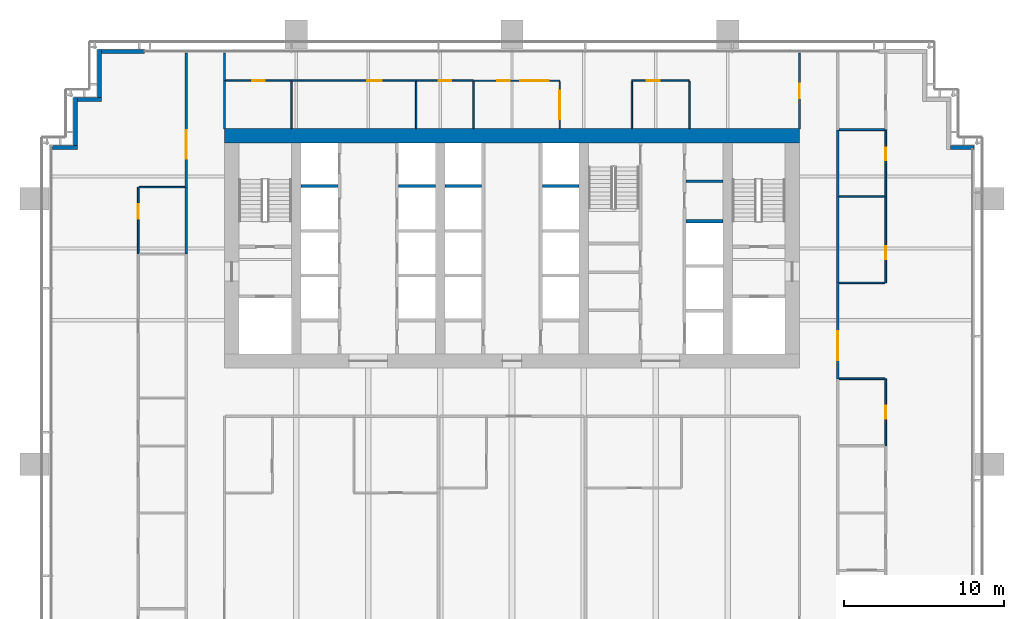
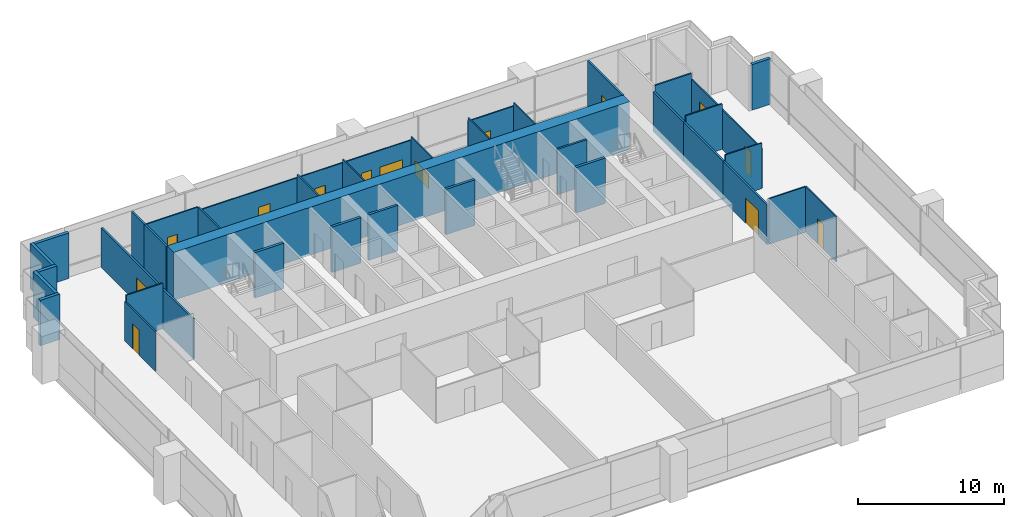
# One storey, part 13 of 17: 41 walls, 12 doors, 2 windows, 14 openings.
"""IFC4 building model written with IfcOpenShell, lengths in metres."""

import ifcopenshell
import ifcopenshell.guid

model = None  # the IFC model being written
_history = None  # IfcOwnerHistory: only IFC2X3 demands one
_inside = {}  # id of a spatial element -> (the spatial element, [elements in it])
_under = {}  # id of a project, library or spatial element -> (it, [spatial elements below it])
_declared = {}  # id of a project -> (the project, [libraries it declares])
_typed = {}  # id of a type object -> (the type object, [elements of that type])
_made_of = {}  # id of a material, layer set ... -> (it, [elements and type objects made of it])


def new_model(schema):
    """Start an empty IFC model of exactly this schema.

    Asked for "IFC4X3", IfcOpenShell would pick the latest addendum, in which some entities
    have other attributes; the version numbers below select the first issue.
    IFC2X3 requires an IfcOwnerHistory on every rooted entity: one is made here for all.
    """
    global model, _history
    if schema == "IFC4X3":
        model = ifcopenshell.file(schema_version=(4, 3, 0, 0))
    else:
        model = ifcopenshell.file(schema=schema)
    _inside.clear()
    _under.clear()
    _declared.clear()
    _typed.clear()
    _made_of.clear()
    _history = None
    if model.schema == "IFC2X3":
        org = make("IfcOrganization", Name="unknown")
        user = make(
            "IfcPersonAndOrganization",
            ThePerson=make("IfcPerson", FamilyName="unknown"),
            TheOrganization=org,
        )
        app = make(
            "IfcApplication",
            ApplicationDeveloper=org,
            Version="unknown",
            ApplicationFullName="unknown",
            ApplicationIdentifier="unknown",
        )
        _history = make(
            "IfcOwnerHistory",
            OwningUser=user,
            OwningApplication=app,
            ChangeAction="ADDED",
            CreationDate=0,
        )
    return model


def make(cls, **values):
    """One entity of the class cls with the attributes given. An attribute that is None is left unset."""
    return model.create_entity(
        cls, **{name: value for name, value in values.items() if value is not None}
    )


def rooted(cls, **values):
    """An entity with a GlobalId (a new one), such as an element, a storey or a relation."""
    return make(cls, GlobalId=ifcopenshell.guid.new(), OwnerHistory=_history, **values)


def si_unit(unit_type, name, prefix=None):
    """IfcSIUnit, for example si_unit("LENGTHUNIT", "METRE", prefix="MILLI")."""
    return make("IfcSIUnit", UnitType=unit_type, Prefix=prefix, Name=name)


def assignment(units):
    """IfcUnitAssignment: the units of a project."""
    return None if units is None else make("IfcUnitAssignment", Units=units)


def point(xyz):
    """IfcCartesianPoint."""
    return None if xyz is None else make("IfcCartesianPoint", Coordinates=xyz)


def direction(xyz):
    """IfcDirection."""
    return None if xyz is None else make("IfcDirection", DirectionRatios=xyz)


def frame(location, z_axis=None, x_axis=None):
    """IfcAxis2Placement3D, a coordinate frame: its origin and axes. An axis left out is left unset."""
    return make(
        "IfcAxis2Placement3D",
        Location=point(location),
        Axis=direction(z_axis),
        RefDirection=direction(x_axis),
    )


def frame_2d(location, x_axis=None):
    """IfcAxis2Placement2D, a coordinate frame in the plane: its origin and x axis."""
    return make(
        "IfcAxis2Placement2D", Location=point(location), RefDirection=direction(x_axis)
    )


def origin():
    """The frame at (0, 0, 0) with its axes left unset."""
    return frame((0.0, 0.0, 0.0))


def place(relative_to, where):
    """IfcLocalPlacement: puts the frame where relative to a parent placement (None: the world)."""
    return make(
        "IfcLocalPlacement", PlacementRelTo=relative_to, RelativePlacement=where
    )


def context(
    kind, dimensions, precision=None, world=None, true_north=None, identifier=None
):
    """IfcGeometricRepresentationContext, for example the 3D "Model" context."""
    return make(
        "IfcGeometricRepresentationContext",
        ContextIdentifier=identifier,
        ContextType=kind,
        CoordinateSpaceDimension=dimensions,
        Precision=precision,
        WorldCoordinateSystem=world,
        TrueNorth=true_north,
    )


def subcontext(parent, identifier, kind, view, scale=None):
    """IfcGeometricRepresentationSubContext, for example "Body" below "Model"."""
    return make(
        "IfcGeometricRepresentationSubContext",
        ContextIdentifier=identifier,
        ContextType=kind,
        ParentContext=parent,
        TargetScale=scale,
        TargetView=view,
    )


def project(units=None, contexts=None):
    """IfcProject with its units and contexts."""
    return rooted(
        "IfcProject",
        Name="project",
        RepresentationContexts=contexts,
        UnitsInContext=assignment(units),
    )


def spatial(cls, under=None, at=None, **own):
    """A site, building, storey or space (cls), placed at a placement, below another one or the project."""
    s = rooted(cls, ObjectPlacement=at, **own)
    if under is not None:
        _under.setdefault(under.id(), (under, []))[1].append(s)
    return s


def profile(cls, at=None, kind="AREA", **sizes):
    """A parametric profile (cls). Its sizes go by their IFC names, for example OverallWidth=200.0."""
    return make(cls, ProfileType=kind, Position=at, **sizes)


def rectangle(**sizes):
    """IfcRectangleProfileDef."""
    return profile("IfcRectangleProfileDef", **sizes)


def extrude(swept, where, along, depth):
    """IfcExtrudedAreaSolid: the profile swept, set in the frame where, extruded along a direction by depth."""
    return make(
        "IfcExtrudedAreaSolid",
        SweptArea=swept,
        Position=where,
        ExtrudedDirection=direction(along),
        Depth=depth,
    )


def shape(context_of_items, identifier, shape_type, items):
    """IfcShapeRepresentation: the items that make up one representation, for example the "Body"."""
    return make(
        "IfcShapeRepresentation",
        ContextOfItems=context_of_items,
        RepresentationIdentifier=identifier,
        RepresentationType=shape_type,
        Items=items,
    )


def material(Name=None, Category=None):
    """IfcMaterial."""
    return make("IfcMaterial", Name=Name, Category=Category)


def layer(
    of_material, thickness, ventilated=None, Name=None, Category=None, Priority=None
):
    """IfcMaterialLayer: one layer of a wall or slab, of a material (None: an air gap)."""
    return make(
        "IfcMaterialLayer",
        Material=of_material,
        LayerThickness=thickness,
        IsVentilated=ventilated,
        Name=Name,
        Category=Category,
        Priority=Priority,
    )


def layer_set(layers, Name=None):
    """IfcMaterialLayerSet."""
    return make("IfcMaterialLayerSet", MaterialLayers=layers, LayerSetName=Name)


def made_of(thing, what):
    """Note that an element or type object is made of a material, layer set ...; save() writes the relation."""
    if what is not None:
        _made_of.setdefault(what.id(), (what, []))[1].append(thing)
    return thing


def type_object(cls, material=None, **own):
    """A type object (cls), such as IfcWallType, which elements share."""
    return made_of(rooted(cls, **own), material)


def element(
    cls,
    number,
    at=None,
    inside=None,
    cuts=None,
    type_object=None,
    material=None,
    context=None,
    identifier="Body",
    shape_type=None,
    held_by="IfcProductDefinitionShape",
    body=None,
    shapes=None,
    **own,
):
    """One element of the class cls, such as IfcWall. Its Tag is "e" and its number.

    at: its placement. inside: the storey or other place that contains it. cuts: it is an
    opening in that element (IfcRelVoidsElement). A single representation is given by context,
    identifier, shape_type and body (its items); several are given by shapes. held_by: the class
    of the entity that holds the representations. save() writes the other relations.
    """
    e = rooted(cls, Tag="e%d" % number, ObjectPlacement=at, **own)
    if body is not None:
        shapes = [shape(context, identifier, shape_type, body)]
    if shapes is not None:
        e.Representation = make(held_by, Representations=shapes)
    if inside is not None:
        _inside.setdefault(inside.id(), (inside, []))[1].append(e)
    if cuts is not None:
        rooted(
            "IfcRelVoidsElement", RelatingBuildingElement=cuts, RelatedOpeningElement=e
        )
    if type_object is not None:
        _typed.setdefault(type_object.id(), (type_object, []))[1].append(e)
    return made_of(e, material)


def fill(opening, filler):
    """IfcRelFillsElement: the door or window that sits in an opening."""
    return rooted(
        "IfcRelFillsElement",
        RelatingOpeningElement=opening,
        RelatedBuildingElement=filler,
    )


def aggregate(whole, parts):
    """IfcRelAggregates: a whole, such as a stair, and the parts it consists of."""
    return rooted("IfcRelAggregates", RelatingObject=whole, RelatedObjects=parts)


def save(model, path):
    """Write the relations noted so far, then the file.

    IfcRelAggregates (storeys below a building ...), IfcRelContainedInSpatialStructure (elements
    in a storey), IfcRelDefinesByType, IfcRelAssociatesMaterial and IfcRelDeclares: one each for
    every whole, place, type object, material and project.
    """
    for whole, parts in _under.values():
        aggregate(whole, parts)
    for where, things in _inside.values():
        rooted(
            "IfcRelContainedInSpatialStructure",
            RelatedElements=things,
            RelatingStructure=where,
        )
    for kind, things in _typed.values():
        rooted("IfcRelDefinesByType", RelatedObjects=things, RelatingType=kind)
    for what, things in _made_of.values():
        rooted("IfcRelAssociatesMaterial", RelatedObjects=things, RelatingMaterial=what)
    for by, libraries in _declared.values():
        rooted("IfcRelDeclares", RelatingContext=by, RelatedDefinitions=libraries)
    model.write(path)


model = new_model("IFC4")

# Units and contexts
model_context = context("Model", 3, precision=1e-05, world=origin(), true_north=direction((0.0, 1.0)))
body_context = subcontext(model_context, "Body", "Model", "MODEL_VIEW")
ifc_project = project(units=[si_unit("LENGTHUNIT", "METRE"), si_unit("AREAUNIT", "SQUARE_METRE"), si_unit("VOLUMEUNIT", "CUBIC_METRE"), si_unit("PLANEANGLEUNIT", "RADIAN"), si_unit("MASSUNIT", "GRAM", prefix="KILO")], contexts=[model_context])

# Site, building, storey
site_placement = place(None, origin())
site = spatial("IfcSite", under=ifc_project, at=site_placement, CompositionType="ELEMENT")
building_placement = place(site_placement, origin())
building = spatial("IfcBuilding", under=site, at=building_placement, Name="Rattan Terrace Tower", CompositionType="ELEMENT")
storey_placement = place(building_placement, frame((0.0, 0.0, 146.10009765625)))
storey = spatial("IfcBuildingStorey", under=building, at=storey_placement, Name="L33", CompositionType="ELEMENT", Elevation=146.10009765625)

# Walls
ifc_material_1 = material(Name="Gypsum board partition")
ifc_layer_1 = layer(ifc_material_1, 0.14990234375)
ifc_layer_set_1 = layer_set([ifc_layer_1], Name="Core partition 150")
wall_type_1 = type_object("IfcWallType", Name="Core partition 150", PredefinedType="PARTITIONING", material=ifc_layer_set_1)
wall_1_placement = place(storey_placement, frame((10.89990234375, 4.199951171875, 0.0), z_axis=(0.0, 0.0, 1.0), x_axis=(1.0, 0.0, 0.0)))
element("IfcWall", 1, at=wall_1_placement, inside=storey, type_object=wall_type_1, Name="Riser room wall", PredefinedType="PARTITIONING", context=body_context, shape_type="SweptSolid", body=[
    extrude(rectangle(XDim=2.300048828125, YDim=0.14990234375, at=frame_2d((1.14990234375, 0.0))), origin(), (0.0, 0.0, 1.0), 3.7998046875),
])
ifc_material_2 = material(Name="Concrete C60/75", Category="concrete")
ifc_layer_2 = layer(ifc_material_2, 0.89990234375)
ifc_layer_set_2 = layer_set([ifc_layer_2], Name="Core ring wall 900 C60/75")
wall_type_2 = type_object("IfcWallType", Name="Core ring wall 900 C60/75", PredefinedType="SHEAR", material=ifc_layer_set_2)
wall_2_placement = place(storey_placement, frame((-18.0, 7.050048828125, -0.2001953125), z_axis=(0.0, 0.0, 1.0), x_axis=(1.0, 0.0, 0.0)))
element("IfcWall", 2, at=wall_2_placement, inside=storey, type_object=wall_type_2, Name="Rear core wall north", PredefinedType="SHEAR", context=body_context, shape_type="SweptSolid", body=[
    extrude(rectangle(XDim=36.0, YDim=0.89990234375, at=frame_2d((18.0, 0.0))), origin(), (0.0, 0.0, 1.0), 4.0),
])
ifc_material_3 = material(Name="Insulated aluminium-clad stud wall", Category="aluminium")
ifc_layer_3 = layer(ifc_material_3, 0.25)
ifc_layer_set_3 = layer_set([ifc_layer_3], Name="Facade Riser Wall 250")
wall_type_3 = type_object("IfcWallType", Name="Facade Riser Wall 250", PredefinedType="SOLIDWALL", material=ifc_layer_set_3)
wall_3_placement = place(storey_placement, frame((28.909912109375, 6.330078125, 0.0), z_axis=(0.0, 0.0, 1.0), x_axis=(-1.0, 0.0, 0.0)))
element("IfcWall", 3, at=wall_3_placement, inside=storey, type_object=wall_type_3, Name="Riser wall L33-6", PredefinedType="SOLIDWALL", context=body_context, shape_type="SweptSolid", body=[
    extrude(rectangle(XDim=1.454833984375, YDim=0.25, at=frame_2d((0.7275390625, 0.0))), origin(), (0.0, 0.0, 1.0), 3.7998046875),
])
wall_4_placement = place(storey_placement, frame((-23.0, 12.330078125, 0.0), z_axis=(0.0, 0.0, 1.0), x_axis=(-1.0, 0.0, 0.0)))
element("IfcWall", 4, at=wall_4_placement, inside=storey, type_object=wall_type_3, Name="Riser wall L33-11", PredefinedType="SOLIDWALL", context=body_context, shape_type="SweptSolid", body=[
    extrude(rectangle(XDim=2.705078125, YDim=0.25, at=frame_2d((1.3525390625, 0.0))), origin(), (0.0, 0.0, 1.0), 3.7998046875),
])
wall_5_placement = place(storey_placement, frame((-25.830078125, 12.455078125, 0.0), z_axis=(0.0, 0.0, 1.0), x_axis=(0.0, -1.0, 0.0)))
element("IfcWall", 5, at=wall_5_placement, inside=storey, type_object=wall_type_3, Name="Riser wall L33-12", PredefinedType="SOLIDWALL", context=body_context, shape_type="SweptSolid", body=[
    extrude(rectangle(XDim=3.0, YDim=0.25, at=frame_2d((1.5, 0.0))), origin(), (0.0, 0.0, 1.0), 3.7998046875),
])
wall_6_placement = place(storey_placement, frame((-25.705078125, 9.330078125, 0.0), z_axis=(0.0, 0.0, 1.0), x_axis=(-1.0, 0.0, 0.0)))
element("IfcWall", 6, at=wall_6_placement, inside=storey, type_object=wall_type_3, Name="Riser wall L33-13", PredefinedType="SOLIDWALL", context=body_context, shape_type="SweptSolid", body=[
    extrude(rectangle(XDim=1.5, YDim=0.25, at=frame_2d((0.75, 0.0))), origin(), (0.0, 0.0, 1.0), 3.7998046875),
])
wall_7_placement = place(storey_placement, frame((-27.330078125, 9.455078125, 0.0), z_axis=(0.0, 0.0, 1.0), x_axis=(0.0, -1.0, 0.0)))
element("IfcWall", 7, at=wall_7_placement, inside=storey, type_object=wall_type_3, Name="Riser wall L33-14", PredefinedType="SOLIDWALL", context=body_context, shape_type="SweptSolid", body=[
    extrude(rectangle(XDim=3.0, YDim=0.25, at=frame_2d((1.5, 0.0))), origin(), (0.0, 0.0, 1.0), 3.7998046875),
])
wall_8_placement = place(storey_placement, frame((-27.205078125, 6.330078125, 0.0), z_axis=(0.0, 0.0, 1.0), x_axis=(-1.0, 0.0, 0.0)))
element("IfcWall", 8, at=wall_8_placement, inside=storey, type_object=wall_type_3, Name="Riser wall L33-15", PredefinedType="SOLIDWALL", context=body_context, shape_type="SweptSolid", body=[
    extrude(rectangle(XDim=1.544921875, YDim=0.25, at=frame_2d((0.7724609375, 0.0))), origin(), (0.0, 0.0, 1.0), 3.7998046875),
])

# Wall, opening, door
ifc_material_4 = material(Name="Gypsum board partition on steel studs", Category="steel")
ifc_layer_4 = layer(ifc_material_4, 0.10009765625)
ifc_layer_set_4 = layer_set([ifc_layer_4], Name="Floors Partition 100")
wall_type_4 = type_object("IfcWallType", Name="Floors Partition 100", PredefinedType="PARTITIONING", material=ifc_layer_set_4)
wall_9_placement = place(storey_placement, frame((-23.39990234375, 3.840087890625, 0.0), z_axis=(0.0, 0.0, 1.0), x_axis=(0.0, -1.0, 0.0)))
wall_9 = element("IfcWall", 9, at=wall_9_placement, inside=storey, type_object=wall_type_4, Name="pt-L33-037", PredefinedType="PARTITIONING", context=body_context, shape_type="SweptSolid", body=[
    extrude(rectangle(XDim=4.18017578125, YDim=0.10009765625, at=frame_2d((2.090087890625, 0.0))), origin(), (0.0, 0.0, 1.0), 3.2998046875),
])
opening_1_placement = place(wall_9_placement, frame((1.083984375, 0.0, 0.0)))
opening_1 = element("IfcOpeningElement", 10, at=opening_1_placement, cuts=wall_9, Name="Opening L33-D107", PredefinedType="OPENING", context=body_context, shape_type="SweptSolid", body=[
    extrude(rectangle(XDim=0.89990234375, YDim=2.10009765625, at=frame_2d((0.449951171875, 1.050048828125))), frame((0.0, 0.060546875, 0.0), z_axis=(0.0, -1.0, 0.0), x_axis=(1.0, 0.0, 0.0)), (0.0, 0.0, 1.0), 0.12109375),
])
ifc_material_5 = material(Name="Solid core timber door, painted", Category="wood")
door_type_1 = type_object("IfcDoorType", Name="Floors Door 900x2100", OperationType="NOTDEFINED", PredefinedType="DOOR", material=ifc_material_5)
door_1_placement = place(opening_1_placement, origin())
door_1 = element("IfcDoor", 11, at=door_1_placement, inside=storey, type_object=door_type_1, Name="d-L33-107", OperationType="SINGLE_SWING_LEFT", OverallHeight=2.10009765625, OverallWidth=0.89990234375, PredefinedType="DOOR", context=body_context, shape_type="SweptSolid", body=[
    extrude(rectangle(XDim=0.89990234375, YDim=2.10009765625, at=frame_2d((0.449951171875, 1.050048828125))), frame((0.0, 0.02490234375, 0.0), z_axis=(0.0, -1.0, 0.0), x_axis=(1.0, 0.0, 0.0)), (0.0, 0.0, 1.0), 0.050048828125),
])
fill(opening_1, door_1)

# Walls
for number, where, z_axis, x_axis, name in (
    (12, (-20.47509765625, 3.840087890625, 0.0), (0.0, 0.0, 1.0), (-1.0, 0.0, 0.0), "pt-L33-038"),
    (13, (23.35009765625, -8.159912109375, 0.0), (0.0, 0.0, 1.0), (-1.0, 0.0, 0.0), "pt-L33-049"),
):
    element("IfcWall", number, at=place(storey_placement, frame(where, z_axis=z_axis, x_axis=x_axis)), inside=storey, type_object=wall_type_4, Name=name, PredefinedType="PARTITIONING", context=body_context, shape_type="SweptSolid", body=[
        extrude(rectangle(XDim=2.875, YDim=0.10009765625, at=frame_2d((1.4375, 0.0))), origin(), (0.0, 0.0, 1.0), 3.7998046875),
    ])

# Wall, opening, door
wall_10_placement = place(storey_placement, frame((23.39990234375, -12.340087890625, 0.0), z_axis=(0.0, 0.0, 1.0), x_axis=(0.0, 1.0, 0.0)))
wall_10 = element("IfcWall", 14, at=wall_10_placement, inside=storey, type_object=wall_type_4, Name="pt-L33-050", PredefinedType="PARTITIONING", context=body_context, shape_type="SweptSolid", body=[
    extrude(rectangle(XDim=4.18017578125, YDim=0.10009765625, at=frame_2d((2.090087890625, 0.0))), origin(), (0.0, 0.0, 1.0), 3.7998046875),
])
opening_2_placement = place(wall_10_placement, frame((1.68994140625, 0.0, 0.0)))
opening_2 = element("IfcOpeningElement", 15, at=opening_2_placement, cuts=wall_10, Name="Opening L33-D113", PredefinedType="OPENING", context=body_context, shape_type="SweptSolid", body=[
    extrude(rectangle(XDim=0.800048828125, YDim=2.10009765625, at=frame_2d((0.39990234375, 1.050048828125))), frame((0.0, 0.060546875, 0.0), z_axis=(0.0, -1.0, 0.0), x_axis=(1.0, 0.0, 0.0)), (0.0, 0.0, 1.0), 0.12109375),
])
ifc_material_6 = material(Name="Solid core timber door, painted", Category="wood")
door_type_2 = type_object("IfcDoorType", Name="Floors Store Door 800x2100", OperationType="NOTDEFINED", PredefinedType="DOOR", material=ifc_material_6)
door_2_placement = place(opening_2_placement, origin())
door_2 = element("IfcDoor", 16, at=door_2_placement, inside=storey, type_object=door_type_2, Name="d-L33-113", OperationType="SINGLE_SWING_RIGHT", OverallHeight=2.10009765625, OverallWidth=0.800048828125, PredefinedType="DOOR", context=body_context, shape_type="SweptSolid", body=[
    extrude(rectangle(XDim=0.800048828125, YDim=2.10009765625, at=frame_2d((0.39990234375, 1.050048828125))), frame((0.0, 0.02490234375, 0.0), z_axis=(0.0, -1.0, 0.0), x_axis=(1.0, 0.0, 0.0)), (0.0, 0.0, 1.0), 0.050048828125),
])
fill(opening_2, door_2)

# Wall
wall_11_placement = place(storey_placement, frame((20.47509765625, -2.159912109375, 0.0), z_axis=(0.0, 0.0, 1.0), x_axis=(1.0, 0.0, 0.0)))
element("IfcWall", 17, at=wall_11_placement, inside=storey, type_object=wall_type_4, Name="pt-L33-051", PredefinedType="PARTITIONING", context=body_context, shape_type="SweptSolid", body=[
    extrude(rectangle(XDim=2.875, YDim=0.10009765625, at=frame_2d((1.4375, 0.0))), origin(), (0.0, 0.0, 1.0), 3.7998046875),
])

# Wall, opening, door
wall_12_placement = place(storey_placement, frame((23.39990234375, -2.159912109375, 0.0), z_axis=(0.0, 0.0, 1.0), x_axis=(0.0, 1.0, 0.0)))
wall_12 = element("IfcWall", 18, at=wall_12_placement, inside=storey, type_object=wall_type_4, Name="pt-L33-052", PredefinedType="PARTITIONING", context=body_context, shape_type="SweptSolid", body=[
    extrude(rectangle(XDim=5.419921875, YDim=0.10009765625, at=frame_2d((2.7099609375, 0.0))), origin(), (0.0, 0.0, 1.0), 3.2998046875),
])
opening_3_placement = place(wall_12_placement, frame((1.486083984375, 0.0, 0.0)))
opening_3 = element("IfcOpeningElement", 19, at=opening_3_placement, cuts=wall_12, Name="Opening L33-D114", PredefinedType="OPENING", context=body_context, shape_type="SweptSolid", body=[
    extrude(rectangle(XDim=0.800048828125, YDim=2.10009765625, at=frame_2d((0.39990234375, 1.050048828125))), frame((0.0, 0.060546875, 0.0), z_axis=(0.0, -1.0, 0.0), x_axis=(1.0, 0.0, 0.0)), (0.0, 0.0, 1.0), 0.12109375),
])
door_3_placement = place(opening_3_placement, origin())
door_3 = element("IfcDoor", 20, at=door_3_placement, inside=storey, type_object=door_type_2, Name="d-L33-114", OperationType="SINGLE_SWING_LEFT", OverallHeight=2.10009765625, OverallWidth=0.800048828125, PredefinedType="DOOR", context=body_context, shape_type="SweptSolid", body=[
    extrude(rectangle(XDim=0.800048828125, YDim=2.10009765625, at=frame_2d((0.39990234375, 1.050048828125))), frame((0.0, 0.02490234375, 0.0), z_axis=(0.0, -1.0, 0.0), x_axis=(1.0, 0.0, 0.0)), (0.0, 0.0, 1.0), 0.050048828125),
])
fill(opening_3, door_3)

wall_13_placement = place(storey_placement, frame((23.39990234375, 3.260009765625, 0.0), z_axis=(0.0, 0.0, 1.0), x_axis=(0.0, 1.0, 0.0)))
wall_13 = element("IfcWall", 21, at=wall_13_placement, inside=storey, type_object=wall_type_4, Name="pt-L33-053", PredefinedType="PARTITIONING", context=body_context, shape_type="SweptSolid", body=[
    extrude(rectangle(XDim=4.159912109375, YDim=0.10009765625, at=frame_2d((2.080078125, 0.0))), origin(), (0.0, 0.0, 1.0), 3.2998046875),
])
opening_4_placement = place(wall_13_placement, frame((2.251953125, 0.0, 0.0)))
opening_4 = element("IfcOpeningElement", 22, at=opening_4_placement, cuts=wall_13, Name="Opening L33-D115", PredefinedType="OPENING", context=body_context, shape_type="SweptSolid", body=[
    extrude(rectangle(XDim=0.800048828125, YDim=2.10009765625, at=frame_2d((0.39990234375, 1.050048828125))), frame((0.0, 0.060546875, 0.0), z_axis=(0.0, -1.0, 0.0), x_axis=(1.0, 0.0, 0.0)), (0.0, 0.0, 1.0), 0.12109375),
])
door_4_placement = place(opening_4_placement, origin())
door_4 = element("IfcDoor", 23, at=door_4_placement, inside=storey, type_object=door_type_2, Name="d-L33-115", OperationType="SINGLE_SWING_RIGHT", OverallHeight=2.10009765625, OverallWidth=0.800048828125, PredefinedType="DOOR", context=body_context, shape_type="SweptSolid", body=[
    extrude(rectangle(XDim=0.800048828125, YDim=2.10009765625, at=frame_2d((0.39990234375, 1.050048828125))), frame((0.0, 0.02490234375, 0.0), z_axis=(0.0, -1.0, 0.0), x_axis=(1.0, 0.0, 0.0)), (0.0, 0.0, 1.0), 0.050048828125),
])
fill(opening_4, door_4)

# Wall
wall_14_placement = place(storey_placement, frame((20.47509765625, 3.239990234375, 0.0), z_axis=(0.0, 0.0, 1.0), x_axis=(1.0, 0.0, 0.0)))
element("IfcWall", 24, at=wall_14_placement, inside=storey, type_object=wall_type_4, Name="pt-L33-059", PredefinedType="PARTITIONING", context=body_context, shape_type="SweptSolid", body=[
    extrude(rectangle(XDim=2.875, YDim=0.10009765625, at=frame_2d((1.4375, 0.0))), origin(), (0.0, 0.0, 1.0), 3.7998046875),
])

# Wall, opening, door
wall_15_placement = place(storey_placement, frame((-13.820068359375, 10.5, 0.0), z_axis=(0.0, 0.0, 1.0), x_axis=(-1.0, 0.0, 0.0)))
wall_15 = element("IfcWall", 25, at=wall_15_placement, inside=storey, type_object=wall_type_4, Name="pt-L33-061", PredefinedType="PARTITIONING", context=body_context, shape_type="SweptSolid", body=[
    extrude(rectangle(XDim=4.10498046875, YDim=0.10009765625, at=frame_2d((2.052490234375, 0.0))), origin(), (0.0, 0.0, 1.0), 3.7998046875),
])
opening_5_placement = place(wall_15_placement, frame((1.653076171875, 0.0, 0.0)))
opening_5 = element("IfcOpeningElement", 26, at=opening_5_placement, cuts=wall_15, Name="Opening L33-D118", PredefinedType="OPENING", context=body_context, shape_type="SweptSolid", body=[
    extrude(rectangle(XDim=0.800048828125, YDim=2.10009765625, at=frame_2d((0.39990234375, 1.050048828125))), frame((0.0, 0.060546875, 0.0), z_axis=(0.0, -1.0, 0.0), x_axis=(1.0, 0.0, 0.0)), (0.0, 0.0, 1.0), 0.12109375),
])
door_5_placement = place(opening_5_placement, origin())
door_5 = element("IfcDoor", 27, at=door_5_placement, inside=storey, type_object=door_type_2, Name="d-L33-118", OperationType="SINGLE_SWING_LEFT", OverallHeight=2.10009765625, OverallWidth=0.800048828125, PredefinedType="DOOR", context=body_context, shape_type="SweptSolid", body=[
    extrude(rectangle(XDim=0.800048828125, YDim=2.10009765625, at=frame_2d((0.39990234375, 1.050048828125))), frame((0.0, 0.02490234375, 0.0), z_axis=(0.0, -1.0, 0.0), x_axis=(1.0, 0.0, 0.0)), (0.0, 0.0, 1.0), 0.050048828125),
])
fill(opening_5, door_5)

wall_16_placement = place(storey_placement, frame((-5.97998046875, 10.5, 0.0), z_axis=(0.0, 0.0, 1.0), x_axis=(-1.0, 0.0, 0.0)))
wall_16 = element("IfcWall", 28, at=wall_16_placement, inside=storey, type_object=wall_type_4, Name="pt-L33-062", PredefinedType="PARTITIONING", context=body_context, shape_type="SweptSolid", body=[
    extrude(rectangle(XDim=7.840087890625, YDim=0.10009765625, at=frame_2d((3.919921875, 0.0))), origin(), (0.0, 0.0, 1.0), 3.5),
])
opening_6_placement = place(wall_16_placement, frame((2.181884765625, 0.0, 0.0)))
opening_6 = element("IfcOpeningElement", 29, at=opening_6_placement, cuts=wall_16, Name="Opening L33-D119", PredefinedType="OPENING", context=body_context, shape_type="SweptSolid", body=[
    extrude(rectangle(XDim=0.89990234375, YDim=2.10009765625, at=frame_2d((0.449951171875, 1.050048828125))), frame((0.0, 0.060546875, 0.0), z_axis=(0.0, -1.0, 0.0), x_axis=(1.0, 0.0, 0.0)), (0.0, 0.0, 1.0), 0.12109375),
])
door_6_placement = place(opening_6_placement, origin())
door_6 = element("IfcDoor", 30, at=door_6_placement, inside=storey, type_object=door_type_1, Name="d-L33-119", OperationType="SINGLE_SWING_LEFT", OverallHeight=2.10009765625, OverallWidth=0.89990234375, PredefinedType="DOOR", context=body_context, shape_type="SweptSolid", body=[
    extrude(rectangle(XDim=0.89990234375, YDim=2.10009765625, at=frame_2d((0.449951171875, 1.050048828125))), frame((0.0, 0.02490234375, 0.0), z_axis=(0.0, -1.0, 0.0), x_axis=(1.0, 0.0, 0.0)), (0.0, 0.0, 1.0), 0.050048828125),
])
fill(opening_6, door_6)

wall_17_placement = place(storey_placement, frame((-2.419921875, 10.5, 0.0), z_axis=(0.0, 0.0, 1.0), x_axis=(-1.0, 0.0, 0.0)))
wall_17 = element("IfcWall", 31, at=wall_17_placement, inside=storey, type_object=wall_type_4, Name="pt-L33-063", PredefinedType="PARTITIONING", context=body_context, shape_type="SweptSolid", body=[
    extrude(rectangle(XDim=3.56005859375, YDim=0.10009765625, at=frame_2d((1.780029296875, 0.0))), origin(), (0.0, 0.0, 1.0), 3.5),
])
opening_7_placement = place(wall_17_placement, frame((1.3798828125, 0.0, 0.0)))
opening_7 = element("IfcOpeningElement", 32, at=opening_7_placement, cuts=wall_17, Name="Opening L33-D120", PredefinedType="OPENING", context=body_context, shape_type="SweptSolid", body=[
    extrude(rectangle(XDim=0.800048828125, YDim=2.10009765625, at=frame_2d((0.39990234375, 1.050048828125))), frame((0.0, 0.060546875, 0.0), z_axis=(0.0, -1.0, 0.0), x_axis=(1.0, 0.0, 0.0)), (0.0, 0.0, 1.0), 0.12109375),
])
door_7_placement = place(opening_7_placement, origin())
door_7 = element("IfcDoor", 33, at=door_7_placement, inside=storey, type_object=door_type_2, Name="d-L33-120", OperationType="SINGLE_SWING_LEFT", OverallHeight=2.10009765625, OverallWidth=0.800048828125, PredefinedType="DOOR", context=body_context, shape_type="SweptSolid", body=[
    extrude(rectangle(XDim=0.800048828125, YDim=2.10009765625, at=frame_2d((0.39990234375, 1.050048828125))), frame((0.0, 0.02490234375, 0.0), z_axis=(0.0, -1.0, 0.0), x_axis=(1.0, 0.0, 0.0)), (0.0, 0.0, 1.0), 0.050048828125),
])
fill(opening_7, door_7)

# Wall, openings, door, window
wall_18_placement = place(storey_placement, frame((3.0, 10.5, 0.0), z_axis=(0.0, 0.0, 1.0), x_axis=(-1.0, 0.0, 0.0)))
wall_18 = element("IfcWall", 34, at=wall_18_placement, inside=storey, type_object=wall_type_4, Name="pt-L33-064", PredefinedType="PARTITIONING", context=body_context, shape_type="SweptSolid", body=[
    extrude(rectangle(XDim=5.419921875, YDim=0.10009765625, at=frame_2d((2.7099609375, 0.0))), origin(), (0.0, 0.0, 1.0), 3.5),
])
opening_8_placement = place(wall_18_placement, frame((3.134033203125, 0.0, 0.0)))
opening_8 = element("IfcOpeningElement", 35, at=opening_8_placement, cuts=wall_18, Name="Opening L33-D121", PredefinedType="OPENING", context=body_context, shape_type="SweptSolid", body=[
    extrude(rectangle(XDim=0.800048828125, YDim=2.10009765625, at=frame_2d((0.39990234375, 1.050048828125))), frame((0.0, 0.060546875, 0.0), z_axis=(0.0, -1.0, 0.0), x_axis=(1.0, 0.0, 0.0)), (0.0, 0.0, 1.0), 0.12109375),
])
opening_9_placement = place(wall_18_placement, frame((0.69189453125, 0.0, 0.89990234375)))
opening_9 = element("IfcOpeningElement", 36, at=opening_9_placement, cuts=wall_18, Name="Opening L33-W104", PredefinedType="OPENING", context=body_context, shape_type="SweptSolid", body=[
    extrude(rectangle(XDim=1.800048828125, YDim=1.199951171875, at=frame_2d((0.89990234375, 0.60009765625))), frame((0.0, 0.060546875, 0.0), z_axis=(0.0, -1.0, 0.0), x_axis=(1.0, 0.0, 0.0)), (0.0, 0.0, 1.0), 0.12109375),
])
door_8_placement = place(opening_8_placement, origin())
door_8 = element("IfcDoor", 37, at=door_8_placement, inside=storey, type_object=door_type_2, Name="d-L33-121", OperationType="SINGLE_SWING_RIGHT", OverallHeight=2.10009765625, OverallWidth=0.800048828125, PredefinedType="DOOR", context=body_context, shape_type="SweptSolid", body=[
    extrude(rectangle(XDim=0.800048828125, YDim=2.10009765625, at=frame_2d((0.39990234375, 1.050048828125))), frame((0.0, 0.02490234375, 0.0), z_axis=(0.0, -1.0, 0.0), x_axis=(1.0, 0.0, 0.0)), (0.0, 0.0, 1.0), 0.050048828125),
])
fill(opening_8, door_8)
ifc_material_7 = material(Name="Glass, clear, fixed in aluminium frame", Category="aluminium")
window_type = type_object("IfcWindowType", Name="Interior Vision Window 1800x1200", PartitioningType="SINGLE_PANEL", PredefinedType="WINDOW", material=ifc_material_7)
window_1_placement = place(opening_9_placement, origin())
window_1 = element("IfcWindow", 38, at=window_1_placement, inside=storey, type_object=window_type, Name="w-L33-104", OverallHeight=1.199951171875, OverallWidth=1.800048828125, PartitioningType="SINGLE_PANEL", PredefinedType="WINDOW", context=body_context, shape_type="SweptSolid", body=[
    extrude(rectangle(XDim=1.800048828125, YDim=1.199951171875, at=frame_2d((0.89990234375, 0.60009765625))), frame((0.0, 0.030029296875, 0.0), z_axis=(0.0, -1.0, 0.0), x_axis=(1.0, 0.0, 0.0)), (0.0, 0.0, 1.0), 0.06005859375),
])
fill(opening_9, window_1)

# Wall, opening, window
wall_19_placement = place(storey_placement, frame((3.0, 7.5, 0.0), z_axis=(0.0, 0.0, 1.0), x_axis=(0.0, 1.0, 0.0)))
wall_19 = element("IfcWall", 39, at=wall_19_placement, inside=storey, type_object=wall_type_4, Name="pt-L33-065", PredefinedType="PARTITIONING", context=body_context, shape_type="SweptSolid", body=[
    extrude(rectangle(XDim=2.949951171875, YDim=0.10009765625, at=frame_2d((1.47509765625, 0.0))), origin(), (0.0, 0.0, 1.0), 3.7998046875),
])
opening_10_placement = place(wall_19_placement, frame((0.574951171875, 0.0, 0.89990234375)))
opening_10 = element("IfcOpeningElement", 40, at=opening_10_placement, cuts=wall_19, Name="Opening L33-W105", PredefinedType="OPENING", context=body_context, shape_type="SweptSolid", body=[
    extrude(rectangle(XDim=1.800048828125, YDim=1.199951171875, at=frame_2d((0.89990234375, 0.60009765625))), frame((0.0, 0.060546875, 0.0), z_axis=(0.0, -1.0, 0.0), x_axis=(1.0, 0.0, 0.0)), (0.0, 0.0, 1.0), 0.12109375),
])
window_2_placement = place(opening_10_placement, origin())
window_2 = element("IfcWindow", 41, at=window_2_placement, inside=storey, type_object=window_type, Name="w-L33-105", OverallHeight=1.199951171875, OverallWidth=1.800048828125, PartitioningType="SINGLE_PANEL", PredefinedType="WINDOW", context=body_context, shape_type="SweptSolid", body=[
    extrude(rectangle(XDim=1.800048828125, YDim=1.199951171875, at=frame_2d((0.89990234375, 0.60009765625))), frame((0.0, 0.030029296875, 0.0), z_axis=(0.0, -1.0, 0.0), x_axis=(1.0, 0.0, 0.0)), (0.0, 0.0, 1.0), 0.06005859375),
])
fill(opening_10, window_2)

# Wall
wall_20_placement = place(storey_placement, frame((7.5, 10.449951171875, 0.0), z_axis=(0.0, 0.0, 1.0), x_axis=(0.0, -1.0, 0.0)))
element("IfcWall", 42, at=wall_20_placement, inside=storey, type_object=wall_type_4, Name="pt-L33-066", PredefinedType="PARTITIONING", context=body_context, shape_type="SweptSolid", body=[
    extrude(rectangle(XDim=2.949951171875, YDim=0.10009765625, at=frame_2d((1.47509765625, 0.0))), origin(), (0.0, 0.0, 1.0), 3.7998046875),
])

# Wall, opening, door
wall_21_placement = place(storey_placement, frame((11.10009765625, 10.5, 0.0), z_axis=(0.0, 0.0, 1.0), x_axis=(-1.0, 0.0, 0.0)))
wall_21 = element("IfcWall", 43, at=wall_21_placement, inside=storey, type_object=wall_type_4, Name="pt-L33-067", PredefinedType="PARTITIONING", context=body_context, shape_type="SweptSolid", body=[
    extrude(rectangle(XDim=3.60009765625, YDim=0.10009765625, at=frame_2d((1.800048828125, 0.0))), origin(), (0.0, 0.0, 1.0), 3.5),
])
opening_11_placement = place(wall_21_placement, frame((1.860107421875, 0.0, 0.0)))
opening_11 = element("IfcOpeningElement", 44, at=opening_11_placement, cuts=wall_21, Name="Opening L33-D122", PredefinedType="OPENING", context=body_context, shape_type="SweptSolid", body=[
    extrude(rectangle(XDim=0.800048828125, YDim=2.10009765625, at=frame_2d((0.39990234375, 1.050048828125))), frame((0.0, 0.060546875, 0.0), z_axis=(0.0, -1.0, 0.0), x_axis=(1.0, 0.0, 0.0)), (0.0, 0.0, 1.0), 0.12109375),
])
door_9_placement = place(opening_11_placement, origin())
door_9 = element("IfcDoor", 45, at=door_9_placement, inside=storey, type_object=door_type_2, Name="d-L33-122", OperationType="SINGLE_SWING_RIGHT", OverallHeight=2.10009765625, OverallWidth=0.800048828125, PredefinedType="DOOR", context=body_context, shape_type="SweptSolid", body=[
    extrude(rectangle(XDim=0.800048828125, YDim=2.10009765625, at=frame_2d((0.39990234375, 1.050048828125))), frame((0.0, 0.02490234375, 0.0), z_axis=(0.0, -1.0, 0.0), x_axis=(1.0, 0.0, 0.0)), (0.0, 0.0, 1.0), 0.050048828125),
])
fill(opening_11, door_9)

# Walls
for number, where, z_axis, x_axis, name in (
    (46, (11.10009765625, 7.5, 0.0), (0.0, 0.0, 1.0), (0.0, 1.0, 0.0), "pt-L33-068"),
    (47, (-13.800048828125, 10.449951171875, 0.0), (0.0, 0.0, 1.0), (0.0, -1.0, 0.0), "pt-L33-069"),
    (48, (-6.0, 10.449951171875, 0.0), (0.0, 0.0, 1.0), (0.0, -1.0, 0.0), "pt-L33-070"),
    (49, (-2.39990234375, 10.449951171875, 0.0), (0.0, 0.0, 1.0), (0.0, -1.0, 0.0), "pt-L33-071"),
):
    element("IfcWall", number, at=place(storey_placement, frame(where, z_axis=z_axis, x_axis=x_axis)), inside=storey, type_object=wall_type_4, Name=name, PredefinedType="PARTITIONING", context=body_context, shape_type="SweptSolid", body=[
        extrude(rectangle(XDim=2.949951171875, YDim=0.10009765625, at=frame_2d((1.47509765625, 0.0))), origin(), (0.0, 0.0, 1.0), 3.7998046875),
    ])

# Wall, opening, door
ifc_material_8 = material(Name="Gypsum board partition on steel studs, fire rated", Category="steel")
ifc_layer_5 = layer(ifc_material_8, 0.14990234375)
ifc_layer_set_5 = layer_set([ifc_layer_5], Name="Floors Tenancy Wall 150")
wall_type_5 = type_object("IfcWallType", Name="Floors Tenancy Wall 150", PredefinedType="PARTITIONING", material=ifc_layer_set_5)
wall_22_placement = place(storey_placement, frame((-20.39990234375, 3.820068359375, 0.0), z_axis=(0.0, 0.0, 1.0), x_axis=(0.0, 1.0, 0.0)))
wall_22 = element("IfcWall", 50, at=wall_22_placement, inside=storey, type_object=wall_type_5, Name="pt-L33-001", PredefinedType="PARTITIONING", context=body_context, shape_type="SweptSolid", body=[
    extrude(rectangle(XDim=8.419921875, YDim=0.14990234375, at=frame_2d((4.2099609375, 0.0))), origin(), (0.0, 0.0, 1.0), 3.2998046875),
])
opening_12_placement = place(wall_22_placement, frame((1.780029296875, 0.0, 0.0)))
opening_12 = element("IfcOpeningElement", 51, at=opening_12_placement, cuts=wall_22, Name="Opening L33-D100", PredefinedType="OPENING", context=body_context, shape_type="SweptSolid", body=[
    extrude(rectangle(XDim=1.800048828125, YDim=2.10009765625, at=frame_2d((0.89990234375, 1.050048828125))), frame((0.0, 0.08544921875, 0.0), z_axis=(0.0, -1.0, 0.0), x_axis=(1.0, 0.0, 0.0)), (0.0, 0.0, 1.0), 0.1708984375),
])
ifc_material_9 = material(Name="Steel fire door set", Category="steel")
door_type_3 = type_object("IfcDoorType", Name="Floors Fire Door Pair FD30S 1800x2100", OperationType="NOTDEFINED", PredefinedType="DOOR", material=ifc_material_9)
door_10_placement = place(opening_12_placement, origin())
door_10 = element("IfcDoor", 52, at=door_10_placement, inside=storey, type_object=door_type_3, Name="d-L33-100", OperationType="DOUBLE_DOOR_SINGLE_SWING", OverallHeight=2.10009765625, OverallWidth=1.800048828125, PredefinedType="DOOR", context=body_context, shape_type="SweptSolid", body=[
    extrude(rectangle(XDim=1.800048828125, YDim=2.10009765625, at=frame_2d((0.89990234375, 1.050048828125))), frame((0.0, 0.02490234375, 0.0), z_axis=(0.0, -1.0, 0.0), x_axis=(1.0, 0.0, 0.0)), (0.0, 0.0, 1.0), 0.050048828125),
])
fill(opening_12, door_10)

# Wall
wall_23_placement = place(storey_placement, frame((-20.39990234375, -0.340087890625, 0.0), z_axis=(0.0, 0.0, 1.0), x_axis=(0.0, 1.0, 0.0)))
element("IfcWall", 53, at=wall_23_placement, inside=storey, type_object=wall_type_5, Name="pt-L33-008", PredefinedType="PARTITIONING", context=body_context, shape_type="SweptSolid", body=[
    extrude(rectangle(XDim=4.16015625, YDim=0.14990234375, at=frame_2d((2.080078125, 0.0))), origin(), (0.0, 0.0, 1.0), 3.2998046875),
])

# Wall, opening, door
wall_24_placement = place(storey_placement, frame((20.39990234375, -2.139892578125, 0.0), z_axis=(0.0, 0.0, 1.0), x_axis=(0.0, -1.0, 0.0)))
wall_24 = element("IfcWall", 54, at=wall_24_placement, inside=storey, type_object=wall_type_5, Name="pt-L33-009", PredefinedType="PARTITIONING", context=body_context, shape_type="SweptSolid", body=[
    extrude(rectangle(XDim=6.0400390625, YDim=0.14990234375, at=frame_2d((3.02001953125, 0.0))), origin(), (0.0, 0.0, 1.0), 3.2998046875),
])
opening_13_placement = place(wall_24_placement, frame((3.054931640625, 0.0, 0.0)))
opening_13 = element("IfcOpeningElement", 55, at=opening_13_placement, cuts=wall_24, Name="Opening L33-D108", PredefinedType="OPENING", context=body_context, shape_type="SweptSolid", body=[
    extrude(rectangle(XDim=1.800048828125, YDim=2.10009765625, at=frame_2d((0.89990234375, 1.050048828125))), frame((0.0, 0.08544921875, 0.0), z_axis=(0.0, -1.0, 0.0), x_axis=(1.0, 0.0, 0.0)), (0.0, 0.0, 1.0), 0.1708984375),
])
door_11_placement = place(opening_13_placement, origin())
door_11 = element("IfcDoor", 56, at=door_11_placement, inside=storey, type_object=door_type_3, Name="d-L33-108", OperationType="DOUBLE_DOOR_SINGLE_SWING", OverallHeight=2.10009765625, OverallWidth=1.800048828125, PredefinedType="DOOR", context=body_context, shape_type="SweptSolid", body=[
    extrude(rectangle(XDim=1.800048828125, YDim=2.10009765625, at=frame_2d((0.89990234375, 1.050048828125))), frame((0.0, 0.02490234375, 0.0), z_axis=(0.0, -1.0, 0.0), x_axis=(1.0, 0.0, 0.0)), (0.0, 0.0, 1.0), 0.050048828125),
])
fill(opening_13, door_11)

# Walls
wall_25_placement = place(storey_placement, frame((20.39990234375, 3.260009765625, 0.0), z_axis=(0.0, 0.0, 1.0), x_axis=(0.0, -1.0, 0.0)))
element("IfcWall", 57, at=wall_25_placement, inside=storey, type_object=wall_type_5, Name="pt-L33-015", PredefinedType="PARTITIONING", context=body_context, shape_type="SweptSolid", body=[
    extrude(rectangle(XDim=5.39990234375, YDim=0.14990234375, at=frame_2d((2.699951171875, 0.0))), origin(), (0.0, 0.0, 1.0), 3.2998046875),
])
wall_26_placement = place(storey_placement, frame((20.39990234375, 7.419921875, 0.0), z_axis=(0.0, 0.0, 1.0), x_axis=(0.0, -1.0, 0.0)))
element("IfcWall", 58, at=wall_26_placement, inside=storey, type_object=wall_type_5, Name="pt-L33-016", PredefinedType="PARTITIONING", context=body_context, shape_type="SweptSolid", body=[
    extrude(rectangle(XDim=4.159912109375, YDim=0.14990234375, at=frame_2d((2.080078125, 0.0))), origin(), (0.0, 0.0, 1.0), 3.2998046875),
])
wall_27_placement = place(storey_placement, frame((-18.0, 12.239990234375, 0.0), z_axis=(0.0, 0.0, 1.0), x_axis=(0.0, -1.0, 0.0)))
element("IfcWall", 59, at=wall_27_placement, inside=storey, type_object=wall_type_5, Name="pt-L33-018", PredefinedType="PARTITIONING", context=body_context, shape_type="SweptSolid", body=[
    extrude(rectangle(XDim=1.719970703125, YDim=0.14990234375, at=frame_2d((0.85986328125, 0.0))), origin(), (0.0, 0.0, 1.0), 3.7998046875),
])

# Wall, opening, door
wall_28_placement = place(storey_placement, frame((18.0, 7.47998046875, 0.0), z_axis=(0.0, 0.0, 1.0), x_axis=(0.0, 1.0, 0.0)))
wall_28 = element("IfcWall", 60, at=wall_28_placement, inside=storey, type_object=wall_type_5, Name="pt-L33-019", PredefinedType="PARTITIONING", context=body_context, shape_type="SweptSolid", body=[
    extrude(rectangle(XDim=4.760009765625, YDim=0.14990234375, at=frame_2d((2.3798828125, 0.0))), origin(), (0.0, 0.0, 1.0), 3.7998046875),
])
opening_14_placement = place(wall_28_placement, frame((1.929931640625, 0.0, 0.0)))
opening_14 = element("IfcOpeningElement", 61, at=opening_14_placement, cuts=wall_28, Name="Opening L33-D117", PredefinedType="OPENING", context=body_context, shape_type="SweptSolid", body=[
    extrude(rectangle(XDim=0.89990234375, YDim=2.10009765625, at=frame_2d((0.449951171875, 1.050048828125))), frame((0.0, 0.08544921875, 0.0), z_axis=(0.0, -1.0, 0.0), x_axis=(1.0, 0.0, 0.0)), (0.0, 0.0, 1.0), 0.1708984375),
])
ifc_material_10 = material(Name="Steel fire door set", Category="steel")
door_type_4 = type_object("IfcDoorType", Name="Floors Fire Door FD30S 900x2100", OperationType="NOTDEFINED", PredefinedType="DOOR", material=ifc_material_10)
door_12_placement = place(opening_14_placement, origin())
door_12 = element("IfcDoor", 62, at=door_12_placement, inside=storey, type_object=door_type_4, Name="d-L33-117", OperationType="SINGLE_SWING_RIGHT", OverallHeight=2.10009765625, OverallWidth=0.89990234375, PredefinedType="DOOR", context=body_context, shape_type="SweptSolid", body=[
    extrude(rectangle(XDim=0.89990234375, YDim=2.10009765625, at=frame_2d((0.449951171875, 1.050048828125))), frame((0.0, 0.02490234375, 0.0), z_axis=(0.0, -1.0, 0.0), x_axis=(1.0, 0.0, 0.0)), (0.0, 0.0, 1.0), 0.050048828125),
])
fill(opening_14, door_12)

# Walls
wall_29_placement = place(storey_placement, frame((-18.0, 10.52001953125, 0.0), z_axis=(0.0, 0.0, 1.0), x_axis=(0.0, -1.0, 0.0)))
element("IfcWall", 63, at=wall_29_placement, inside=storey, type_object=wall_type_5, Name="pt-L33-020", PredefinedType="PARTITIONING", context=body_context, shape_type="SweptSolid", body=[
    extrude(rectangle(XDim=3.0400390625, YDim=0.14990234375, at=frame_2d((1.52001953125, 0.0))), origin(), (0.0, 0.0, 1.0), 3.7998046875),
])
ifc_material_11 = material(Name="Moisture resistant gypsum board partition on steel studs with service cavity", Category="steel")
ifc_layer_6 = layer(ifc_material_11, 0.1201171875)
ifc_layer_set_6 = layer_set([ifc_layer_6], Name="Floors Wet Wall 120")
wall_type_6 = type_object("IfcWallType", Name="Floors Wet Wall 120", PredefinedType="PARTITIONING", material=ifc_layer_set_6)
wall_30_placement = place(storey_placement, frame((20.47509765625, 7.43994140625, 0.0), z_axis=(0.0, 0.0, 1.0), x_axis=(1.0, 0.0, 0.0)))
element("IfcWall", 64, at=wall_30_placement, inside=storey, type_object=wall_type_6, Name="pt-L33-060", PredefinedType="PARTITIONING", context=body_context, shape_type="SweptSolid", body=[
    extrude(rectangle(XDim=2.864990234375, YDim=0.1201171875, at=frame_2d((1.4326171875, 0.0))), origin(), (0.0, 0.0, 1.0), 3.7998046875),
])
ifc_material_12 = material(Name="Gypsum shaft wall system")
ifc_layer_7 = layer(ifc_material_12, 0.199951171875)
ifc_layer_set_7 = layer_set([ifc_layer_7], Name="Lift shaft wall 200")
wall_type_7 = type_object("IfcWallType", Name="Lift shaft wall 200", PredefinedType="PARTITIONING", material=ifc_layer_set_7)
for number, where, z_axis, x_axis, name in (
    (65, (-13.199951171875, 3.89990234375, 0.0), (0.0, 0.0, 1.0), (1.0, 0.0, 0.0), "Lift shaft wall"),
    (66, (-7.10009765625, 3.89990234375, 0.0), (0.0, 0.0, 1.0), (1.0, 0.0, 0.0), "Lift shaft wall"),
    (67, (-4.199951171875, 3.89990234375, 0.0), (0.0, 0.0, 1.0), (1.0, 0.0, 0.0), "Lift shaft wall"),
    (68, (1.89990234375, 3.89990234375, 0.0), (0.0, 0.0, 1.0), (1.0, 0.0, 0.0), "Lift shaft wall"),
    (69, (10.89990234375, 1.699951171875, 0.0), (0.0, 0.0, 1.0), (1.0, 0.0, 0.0), "Lift shaft wall"),
):
    element("IfcWall", number, at=place(storey_placement, frame(where, z_axis=z_axis, x_axis=x_axis)), inside=storey, type_object=wall_type_7, Name=name, PredefinedType="PARTITIONING", context=body_context, shape_type="SweptSolid", body=[
        extrude(rectangle(XDim=2.300048828125, YDim=0.199951171875, at=frame_2d((1.14990234375, 0.0))), origin(), (0.0, 0.0, 1.0), 3.7998046875),
    ])

save(model, "model.ifc")
